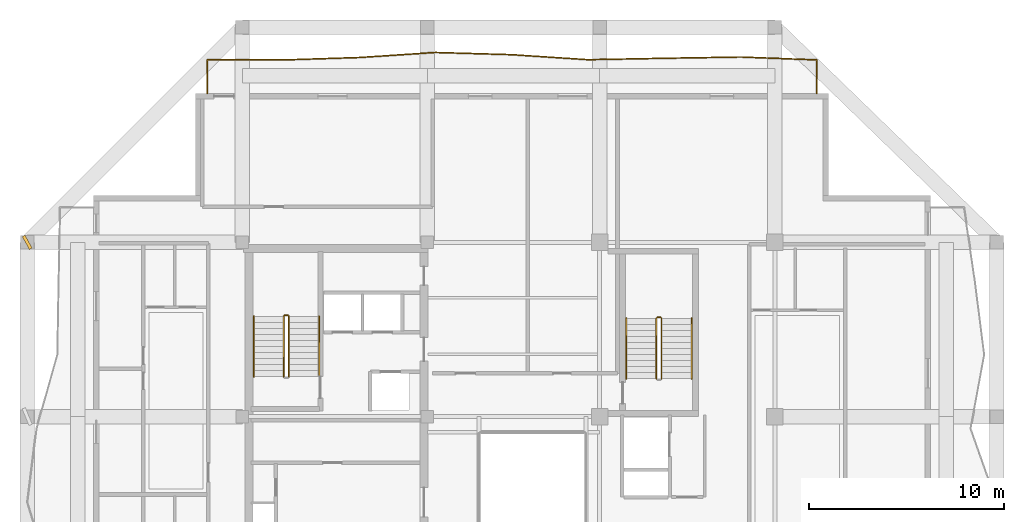
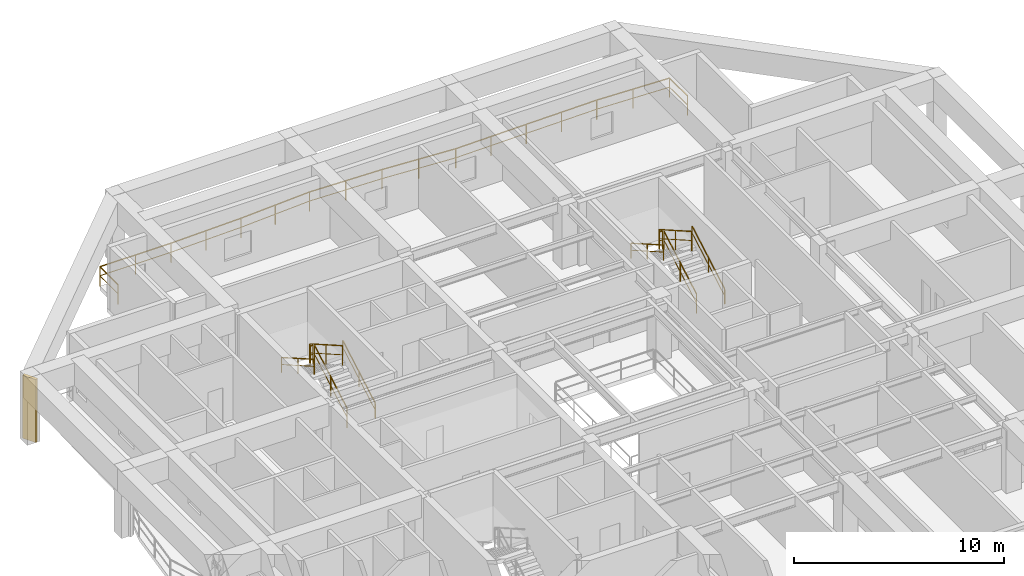
# One storey, part 10 of 11: 11 railings, 1 shading device.
"""IFC4 building model written with IfcOpenShell, lengths in metres."""

from ifc_helpers import new_model, si_unit, direction, frame, origin, origin_2d, place, context, subcontext, project, spatial, rectangle, extrude, material, type_object, element, save


model = new_model("IFC4")

# Units and contexts
model_context = context("Model", 3, precision=1e-05, world=origin(), true_north=direction((0.0, 1.0)))
body_context = subcontext(model_context, "Body", "Model", "MODEL_VIEW")
ifc_project = project(units=[si_unit("LENGTHUNIT", "METRE"), si_unit("AREAUNIT", "SQUARE_METRE"), si_unit("VOLUMEUNIT", "CUBIC_METRE"), si_unit("PLANEANGLEUNIT", "RADIAN"), si_unit("MASSUNIT", "GRAM", prefix="KILO")], contexts=[model_context])

# Site, building, storey
site_placement = place(None, origin())
site = spatial("IfcSite", under=ifc_project, at=site_placement, CompositionType="ELEMENT")
building_placement = place(site_placement, origin())
building = spatial("IfcBuilding", under=site, at=building_placement, Name="Kundavana Baori Tower", CompositionType="ELEMENT")
storey_placement = place(building_placement, frame((0.0, 0.0, 268.699951171875)))
storey = spatial("IfcBuildingStorey", under=building, at=storey_placement, Name="L66", CompositionType="ELEMENT", Elevation=268.699951171875)

# Railings
ifc_material_1 = material(Name="Architectural Patinated Bronze Metalwork")
railing_type_1 = type_object("IfcRailingType", Name="RL-BAL-1150", PredefinedType="BALUSTRADE", material=ifc_material_1)
railing_1_placement = place(storey_placement, frame((13.64990234375, 49.60009765625, 0.0)))
element("IfcRailing", 1, at=railing_1_placement, inside=storey, type_object=railing_type_1, Name="L66 Loggia Balcony Balustrade N", PredefinedType="BALUSTRADE", context=body_context, shape_type="SweptSolid", body=[
    extrude(rectangle(XDim=0.048095703125, YDim=0.048095703125, at=origin_2d()), frame((0.0, 0.0, 1.1259765625), z_axis=(0.0, 1.0, 0.0), x_axis=(-1.0, 0.0, 0.0)), (0.0, 0.0, 1.0), 1.719970703125),
    extrude(rectangle(XDim=0.03125, YDim=0.03125, at=origin_2d()), frame((0.0, 0.0, 0.597900390625), z_axis=(0.0, 1.0, 0.0), x_axis=(-1.0, 0.0, 0.0)), (0.0, 0.0, 1.0), 1.719970703125),
    extrude(rectangle(XDim=0.048095703125, YDim=0.048095703125, at=origin_2d()), frame((0.0, 1.719970703125, 1.1259765625), z_axis=(1.0, 0.0, 0.0), x_axis=(0.0, 1.0, 0.0)), (0.0, 0.0, 1.0), 3.912109375),
    extrude(rectangle(XDim=0.03125, YDim=0.03125, at=origin_2d()), frame((0.0, 1.719970703125, 0.597900390625), z_axis=(1.0, 0.0, 0.0), x_axis=(0.0, 1.0, 0.0)), (0.0, 0.0, 1.0), 3.912109375),
    extrude(rectangle(XDim=0.048095703125, YDim=0.048095703125, at=origin_2d()), frame((3.912109375, 1.719970703125, 1.1259765625), z_axis=(0.999474133691, 0.032426163559, 0.0), x_axis=(-0.032426163559, 0.999474133691, 0.0)), (0.0, 0.0, 1.0), 3.9150390625),
    extrude(rectangle(XDim=0.03125, YDim=0.03125, at=origin_2d()), frame((3.912109375, 1.719970703125, 0.597900390625), z_axis=(0.999474133691, 0.032426163559, 0.0), x_axis=(-0.032426163559, 0.999474133691, 0.0)), (0.0, 0.0, 1.0), 3.9150390625),
    extrude(rectangle(XDim=0.048095703125, YDim=0.048095703125, at=origin_2d()), frame((7.8251953125, 1.846923828125, 1.1259765625), z_axis=(0.997848610689, 0.065560278721, 0.0), x_axis=(-0.065560278721, 0.997848610689, 0.0)), (0.0, 0.0, 1.0), 3.92138671875),
    extrude(rectangle(XDim=0.03125, YDim=0.03125, at=origin_2d()), frame((7.8251953125, 1.846923828125, 0.597900390625), z_axis=(0.997848610689, 0.065560278721, 0.0), x_axis=(-0.065560278721, 0.997848610689, 0.0)), (0.0, 0.0, 1.0), 3.92138671875),
    extrude(rectangle(XDim=0.048095703125, YDim=0.048095703125, at=origin_2d()), frame((11.738037109375, 2.10400390625, 1.1259765625), z_axis=(0.999575590256, -0.029131415417, 0.0), x_axis=(0.029131415417, 0.999575590256, 0.0)), (0.0, 0.0, 1.0), 3.913818359375),
    extrude(rectangle(XDim=0.03125, YDim=0.03125, at=origin_2d()), frame((11.738037109375, 2.10400390625, 0.597900390625), z_axis=(0.999575590256, -0.029131415417, 0.0), x_axis=(0.029131415417, 0.999575590256, 0.0)), (0.0, 0.0, 1.0), 3.913818359375),
    extrude(rectangle(XDim=0.048095703125, YDim=0.048095703125, at=origin_2d()), frame((15.650146484375, 1.989990234375, 1.1259765625), z_axis=(0.997832288016, -0.065808244115, 0.0), x_axis=(0.065808244115, 0.997832288016, 0.0)), (0.0, 0.0, 1.0), 3.92138671875),
    extrude(rectangle(XDim=0.03125, YDim=0.03125, at=origin_2d()), frame((15.650146484375, 1.989990234375, 0.597900390625), z_axis=(0.997832288016, -0.065808244115, 0.0), x_axis=(0.065808244115, 0.997832288016, 0.0)), (0.0, 0.0, 1.0), 3.92138671875),
    extrude(rectangle(XDim=0.048095703125, YDim=0.048095703125, at=origin_2d()), frame((19.56298828125, 1.73193359375, 1.1259765625), z_axis=(0.99982127021, 0.01890575667, 0.0), x_axis=(-0.01890575667, 0.99982127021, 0.0)), (0.0, 0.0, 1.0), 3.912841796875),
    extrude(rectangle(XDim=0.03125, YDim=0.03125, at=origin_2d()), frame((19.56298828125, 1.73193359375, 0.597900390625), z_axis=(0.99982127021, 0.01890575667, 0.0), x_axis=(-0.01890575667, 0.99982127021, 0.0)), (0.0, 0.0, 1.0), 3.912841796875),
    extrude(rectangle(XDim=0.048095703125, YDim=0.048095703125, at=origin_2d()), frame((23.47509765625, 1.805908203125, 1.1259765625), z_axis=(0.999862315545, 0.01659367207, 0.0), x_axis=(-0.01659367207, 0.999862315545, 0.0)), (0.0, 0.0, 1.0), 3.91357421875),
    extrude(rectangle(XDim=0.03125, YDim=0.03125, at=origin_2d()), frame((23.47509765625, 1.805908203125, 0.597900390625), z_axis=(0.999862315545, 0.01659367207, 0.0), x_axis=(-0.01659367207, 0.999862315545, 0.0)), (0.0, 0.0, 1.0), 3.91357421875),
    extrude(rectangle(XDim=0.048095703125, YDim=0.048095703125, at=origin_2d()), frame((27.38818359375, 1.870849609375, 1.1259765625), z_axis=(0.999257023507, -0.038540899989, 0.0), x_axis=(0.038540899989, 0.999257023507, 0.0)), (0.0, 0.0, 1.0), 3.914794921875),
    extrude(rectangle(XDim=0.03125, YDim=0.03125, at=origin_2d()), frame((27.38818359375, 1.870849609375, 0.597900390625), z_axis=(0.999257023507, -0.038540899989, 0.0), x_axis=(0.038540899989, 0.999257023507, 0.0)), (0.0, 0.0, 1.0), 3.914794921875),
    extrude(rectangle(XDim=0.048095703125, YDim=0.048095703125, at=origin_2d()), frame((31.300048828125, 1.719970703125, 1.1259765625), z_axis=(0.0, -1.0, 0.0), x_axis=(1.0, 0.0, 0.0)), (0.0, 0.0, 1.0), 1.719970703125),
    extrude(rectangle(XDim=0.03125, YDim=0.03125, at=origin_2d()), frame((31.300048828125, 1.719970703125, 0.597900390625), z_axis=(0.0, -1.0, 0.0), x_axis=(1.0, 0.0, 0.0)), (0.0, 0.0, 1.0), 1.719970703125),
    extrude(rectangle(XDim=0.0419921875, YDim=0.0419921875, at=origin_2d()), origin(), (0.0, 0.0, 1.0), 1.101806640625),
    extrude(rectangle(XDim=0.0419921875, YDim=0.0419921875, at=origin_2d()), frame((0.0, 1.719970703125, 0.0)), (0.0, 0.0, 1.0), 1.101806640625),
    extrude(rectangle(XDim=0.0419921875, YDim=0.0419921875, at=origin_2d()), frame((1.9560546875, 1.719970703125, 0.0)), (0.0, 0.0, 1.0), 1.101806640625),
    extrude(rectangle(XDim=0.0419921875, YDim=0.0419921875, at=origin_2d()), frame((3.912109375, 1.719970703125, 0.0)), (0.0, 0.0, 1.0), 1.101806640625),
    extrude(rectangle(XDim=0.0419921875, YDim=0.0419921875, at=origin_2d()), frame((5.86865234375, 1.783447265625, 0.0)), (0.0, 0.0, 1.0), 1.101806640625),
    extrude(rectangle(XDim=0.0419921875, YDim=0.0419921875, at=origin_2d()), frame((7.8251953125, 1.846923828125, 0.0)), (0.0, 0.0, 1.0), 1.101806640625),
    extrude(rectangle(XDim=0.0419921875, YDim=0.0419921875, at=origin_2d()), frame((9.78173828125, 1.9755859375, 0.0)), (0.0, 0.0, 1.0), 1.101806640625),
    extrude(rectangle(XDim=0.0419921875, YDim=0.0419921875, at=origin_2d()), frame((11.738037109375, 2.10400390625, 0.0)), (0.0, 0.0, 1.0), 1.101806640625),
    extrude(rectangle(XDim=0.0419921875, YDim=0.0419921875, at=origin_2d()), frame((13.694091796875, 2.046875, 0.0)), (0.0, 0.0, 1.0), 1.101806640625),
    extrude(rectangle(XDim=0.0419921875, YDim=0.0419921875, at=origin_2d()), frame((15.650146484375, 1.989990234375, 0.0)), (0.0, 0.0, 1.0), 1.101806640625),
    extrude(rectangle(XDim=0.0419921875, YDim=0.0419921875, at=origin_2d()), frame((17.6064453125, 1.86083984375, 0.0)), (0.0, 0.0, 1.0), 1.101806640625),
    extrude(rectangle(XDim=0.0419921875, YDim=0.0419921875, at=origin_2d()), frame((19.56298828125, 1.73193359375, 0.0)), (0.0, 0.0, 1.0), 1.101806640625),
    extrude(rectangle(XDim=0.0419921875, YDim=0.0419921875, at=origin_2d()), frame((21.51904296875, 1.76904296875, 0.0)), (0.0, 0.0, 1.0), 1.101806640625),
    extrude(rectangle(XDim=0.0419921875, YDim=0.0419921875, at=origin_2d()), frame((23.47509765625, 1.805908203125, 0.0)), (0.0, 0.0, 1.0), 1.101806640625),
    extrude(rectangle(XDim=0.0419921875, YDim=0.0419921875, at=origin_2d()), frame((25.431640625, 1.83837890625, 0.0)), (0.0, 0.0, 1.0), 1.101806640625),
    extrude(rectangle(XDim=0.0419921875, YDim=0.0419921875, at=origin_2d()), frame((27.38818359375, 1.870849609375, 0.0)), (0.0, 0.0, 1.0), 1.101806640625),
    extrude(rectangle(XDim=0.0419921875, YDim=0.0419921875, at=origin_2d()), frame((29.34423828125, 1.79541015625, 0.0)), (0.0, 0.0, 1.0), 1.101806640625),
    extrude(rectangle(XDim=0.0419921875, YDim=0.0419921875, at=origin_2d()), frame((31.300048828125, 1.719970703125, 0.0)), (0.0, 0.0, 1.0), 1.101806640625),
    extrude(rectangle(XDim=0.0419921875, YDim=0.0419921875, at=origin_2d()), frame((31.300048828125, 0.0, 0.0)), (0.0, 0.0, 1.0), 1.101806640625),
])
ifc_material_2 = material(Name="Architectural Patinated Bronze Metalwork")
railing_type_2 = type_object("IfcRailingType", Name="RL-GRD-1150", PredefinedType="GUARDRAIL", material=ifc_material_2)
railing_2_placement = place(storey_placement, frame((17.840087890625, 35.050048828125, 0.17724609375)))
element("IfcRailing", 2, at=railing_2_placement, inside=storey, type_object=railing_type_2, Name="L66 ST2 stair guard 1", PredefinedType="GUARDRAIL", context=body_context, shape_type="SweptSolid", body=[
    extrude(rectangle(XDim=0.048095703125, YDim=0.048095703125, at=origin_2d()), frame((0.0, 0.0, 1.1259765625), z_axis=(0.0, 0.868079009454, 0.496426060301), x_axis=(-1.0, 0.0, 0.0)), (0.0, 0.0, 1.0), 3.571044921875),
    extrude(rectangle(XDim=0.03125, YDim=0.03125, at=origin_2d()), frame((0.0, 0.0, 0.597900390625), z_axis=(0.0, 0.868079009454, 0.496426060301), x_axis=(-1.0, 0.0, 0.0)), (0.0, 0.0, 1.0), 3.571044921875),
    extrude(rectangle(XDim=0.0419921875, YDim=0.0419921875, at=origin_2d()), origin(), (0.0, 0.0, 1.0), 1.101806640625),
    extrude(rectangle(XDim=0.0419921875, YDim=0.0419921875, at=origin_2d()), frame((0.0, 1.5498046875, 0.88623046875)), (0.0, 0.0, 1.0), 1.101806640625),
    extrude(rectangle(XDim=0.0419921875, YDim=0.0419921875, at=origin_2d()), frame((0.0, 3.099853515625, 1.772705078125)), (0.0, 0.0, 1.0), 1.101806640625),
])
railing_3_placement = place(storey_placement, frame((17.7900390625, 38.199951171875, 1.949951171875)))
element("IfcRailing", 3, at=railing_3_placement, inside=storey, type_object=railing_type_2, Name="L66 ST2 stair guard 2", PredefinedType="GUARDRAIL", context=body_context, shape_type="SweptSolid", body=[
    extrude(rectangle(XDim=0.048095703125, YDim=0.048095703125, at=origin_2d()), frame((0.0, 0.0, 1.1259765625), z_axis=(-1.0, 0.0, 0.0), x_axis=(0.0, -1.0, 0.0)), (0.0, 0.0, 1.0), 0.16015625),
    extrude(rectangle(XDim=0.03125, YDim=0.03125, at=origin_2d()), frame((0.0, 0.0, 0.597900390625), z_axis=(-1.0, 0.0, 0.0), x_axis=(0.0, -1.0, 0.0)), (0.0, 0.0, 1.0), 0.16015625),
    extrude(rectangle(XDim=0.0419921875, YDim=0.0419921875, at=origin_2d()), origin(), (0.0, 0.0, 1.0), 1.101806640625),
    extrude(rectangle(XDim=0.0419921875, YDim=0.0419921875, at=origin_2d()), frame((-0.16015625, 0.0, 0.0)), (0.0, 0.0, 1.0), 1.101806640625),
])
railing_4_placement = place(storey_placement, frame((17.580078125, 38.14990234375, 2.12744140625)))
element("IfcRailing", 4, at=railing_4_placement, inside=storey, type_object=railing_type_2, Name="L66 ST2 stair guard 3", PredefinedType="GUARDRAIL", context=body_context, shape_type="SweptSolid", body=[
    extrude(rectangle(XDim=0.048095703125, YDim=0.048095703125, at=origin_2d()), frame((0.0, 0.0, 1.1259765625), z_axis=(0.0, -0.868079009454, 0.496426060301), x_axis=(1.0, 0.0, 0.0)), (0.0, 0.0, 1.0), 3.571044921875),
    extrude(rectangle(XDim=0.03125, YDim=0.03125, at=origin_2d()), frame((0.0, 0.0, 0.597900390625), z_axis=(0.0, -0.868079009454, 0.496426060301), x_axis=(1.0, 0.0, 0.0)), (0.0, 0.0, 1.0), 3.571044921875),
    extrude(rectangle(XDim=0.0419921875, YDim=0.0419921875, at=origin_2d()), origin(), (0.0, 0.0, 1.0), 1.101806640625),
    extrude(rectangle(XDim=0.0419921875, YDim=0.0419921875, at=origin_2d()), frame((0.0, -1.5498046875, 0.88623046875)), (0.0, 0.0, 1.0), 1.101806640625),
    extrude(rectangle(XDim=0.0419921875, YDim=0.0419921875, at=origin_2d()), frame((0.0, -3.099853515625, 1.772705078125)), (0.0, 0.0, 1.0), 1.101806640625),
])
railing_5_placement = place(storey_placement, frame((36.97998046875, 34.949951171875, 0.17724609375)))
element("IfcRailing", 5, at=railing_5_placement, inside=storey, type_object=railing_type_2, Name="L66 ST3 stair guard 1", PredefinedType="GUARDRAIL", context=body_context, shape_type="SweptSolid", body=[
    extrude(rectangle(XDim=0.048095703125, YDim=0.048095703125, at=origin_2d()), frame((0.0, 0.0, 1.1259765625), z_axis=(0.0, 0.868095856688, 0.496396599103), x_axis=(-1.0, 0.0, 0.0)), (0.0, 0.0, 1.0), 3.571044921875),
    extrude(rectangle(XDim=0.03125, YDim=0.03125, at=origin_2d()), frame((0.0, 0.0, 0.597900390625), z_axis=(0.0, 0.868095856688, 0.496396599103), x_axis=(-1.0, 0.0, 0.0)), (0.0, 0.0, 1.0), 3.571044921875),
    extrude(rectangle(XDim=0.0419921875, YDim=0.0419921875, at=origin_2d()), origin(), (0.0, 0.0, 1.0), 1.101806640625),
    extrude(rectangle(XDim=0.0419921875, YDim=0.0419921875, at=origin_2d()), frame((0.0, 1.550048828125, 0.88623046875)), (0.0, 0.0, 1.0), 1.101806640625),
    extrude(rectangle(XDim=0.0419921875, YDim=0.0419921875, at=origin_2d()), frame((0.0, 3.10009765625, 1.772705078125)), (0.0, 0.0, 1.0), 1.101806640625),
])
railing_6_placement = place(storey_placement, frame((36.929931640625, 38.10009765625, 1.949951171875)))
element("IfcRailing", 6, at=railing_6_placement, inside=storey, type_object=railing_type_2, Name="L66 ST3 stair guard 2", PredefinedType="GUARDRAIL", context=body_context, shape_type="SweptSolid", body=[
    extrude(rectangle(XDim=0.048095703125, YDim=0.048095703125, at=origin_2d()), frame((0.0, 0.0, 1.1259765625), z_axis=(-1.0, 0.0, 0.0), x_axis=(0.0, -1.0, 0.0)), (0.0, 0.0, 1.0), 0.159912109375),
    extrude(rectangle(XDim=0.03125, YDim=0.03125, at=origin_2d()), frame((0.0, 0.0, 0.597900390625), z_axis=(-1.0, 0.0, 0.0), x_axis=(0.0, -1.0, 0.0)), (0.0, 0.0, 1.0), 0.159912109375),
    extrude(rectangle(XDim=0.0419921875, YDim=0.0419921875, at=origin_2d()), origin(), (0.0, 0.0, 1.0), 1.101806640625),
    extrude(rectangle(XDim=0.0419921875, YDim=0.0419921875, at=origin_2d()), frame((-0.159912109375, 0.0, 0.0)), (0.0, 0.0, 1.0), 1.101806640625),
])
railing_7_placement = place(storey_placement, frame((36.719970703125, 38.050048828125, 2.12744140625)))
element("IfcRailing", 7, at=railing_7_placement, inside=storey, type_object=railing_type_2, Name="L66 ST3 stair guard 3", PredefinedType="GUARDRAIL", context=body_context, shape_type="SweptSolid", body=[
    extrude(rectangle(XDim=0.048095703125, YDim=0.048095703125, at=origin_2d()), frame((0.0, 0.0, 1.1259765625), z_axis=(0.0, -0.868095856688, 0.496396599103), x_axis=(1.0, 0.0, 0.0)), (0.0, 0.0, 1.0), 3.571044921875),
    extrude(rectangle(XDim=0.03125, YDim=0.03125, at=origin_2d()), frame((0.0, 0.0, 0.597900390625), z_axis=(0.0, -0.868095856688, 0.496396599103), x_axis=(1.0, 0.0, 0.0)), (0.0, 0.0, 1.0), 3.571044921875),
    extrude(rectangle(XDim=0.0419921875, YDim=0.0419921875, at=origin_2d()), origin(), (0.0, 0.0, 1.0), 1.101806640625),
    extrude(rectangle(XDim=0.0419921875, YDim=0.0419921875, at=origin_2d()), frame((0.0, -1.550048828125, 0.88623046875)), (0.0, 0.0, 1.0), 1.101806640625),
    extrude(rectangle(XDim=0.0419921875, YDim=0.0419921875, at=origin_2d()), frame((0.0, -3.10009765625, 1.772705078125)), (0.0, 0.0, 1.0), 1.101806640625),
])
ifc_material_3 = material(Name="Architectural Patinated Bronze Metalwork")
railing_type_3 = type_object("IfcRailingType", Name="RL-HND-920", PredefinedType="HANDRAIL", material=ifc_material_3)
railing_8_placement = place(storey_placement, frame((19.389892578125, 35.050048828125, 0.17724609375)))
element("IfcRailing", 8, at=railing_8_placement, inside=storey, type_object=railing_type_3, Name="L66 ST2 stair handrail 1", PredefinedType="HANDRAIL", context=body_context, shape_type="SweptSolid", body=[
    extrude(rectangle(XDim=0.048095703125, YDim=0.048095703125, at=origin_2d()), frame((0.0, 0.0, 0.8759765625), z_axis=(0.0, 0.868079009454, 0.496426060301), x_axis=(-1.0, 0.0, 0.0)), (0.0, 0.0, 1.0), 3.571044921875),
    extrude(rectangle(XDim=0.03125, YDim=0.03125, at=origin_2d()), frame((0.0, 0.0, 0.468017578125), z_axis=(0.0, 0.868079009454, 0.496426060301), x_axis=(-1.0, 0.0, 0.0)), (0.0, 0.0, 1.0), 3.571044921875),
    extrude(rectangle(XDim=0.0419921875, YDim=0.0419921875, at=origin_2d()), origin(), (0.0, 0.0, 1.0), 0.851806640625),
    extrude(rectangle(XDim=0.0419921875, YDim=0.0419921875, at=origin_2d()), frame((0.0, 1.5498046875, 0.88623046875)), (0.0, 0.0, 1.0), 0.851806640625),
    extrude(rectangle(XDim=0.0419921875, YDim=0.0419921875, at=origin_2d()), frame((0.0, 3.099853515625, 1.772705078125)), (0.0, 0.0, 1.0), 0.851806640625),
])
railing_9_placement = place(storey_placement, frame((16.030029296875, 38.14990234375, 2.12744140625)))
element("IfcRailing", 9, at=railing_9_placement, inside=storey, type_object=railing_type_3, Name="L66 ST2 stair handrail 2", PredefinedType="HANDRAIL", context=body_context, shape_type="SweptSolid", body=[
    extrude(rectangle(XDim=0.048095703125, YDim=0.048095703125, at=origin_2d()), frame((0.0, 0.0, 0.8759765625), z_axis=(0.0, -0.868079009454, 0.496426060301), x_axis=(1.0, 0.0, 0.0)), (0.0, 0.0, 1.0), 3.571044921875),
    extrude(rectangle(XDim=0.03125, YDim=0.03125, at=origin_2d()), frame((0.0, 0.0, 0.468017578125), z_axis=(0.0, -0.868079009454, 0.496426060301), x_axis=(1.0, 0.0, 0.0)), (0.0, 0.0, 1.0), 3.571044921875),
    extrude(rectangle(XDim=0.0419921875, YDim=0.0419921875, at=origin_2d()), origin(), (0.0, 0.0, 1.0), 0.851806640625),
    extrude(rectangle(XDim=0.0419921875, YDim=0.0419921875, at=origin_2d()), frame((0.0, -1.5498046875, 0.88623046875)), (0.0, 0.0, 1.0), 0.851806640625),
    extrude(rectangle(XDim=0.0419921875, YDim=0.0419921875, at=origin_2d()), frame((0.0, -3.099853515625, 1.772705078125)), (0.0, 0.0, 1.0), 0.851806640625),
])
railing_10_placement = place(storey_placement, frame((38.530029296875, 34.949951171875, 0.17724609375)))
element("IfcRailing", 10, at=railing_10_placement, inside=storey, type_object=railing_type_3, Name="L66 ST3 stair handrail 1", PredefinedType="HANDRAIL", context=body_context, shape_type="SweptSolid", body=[
    extrude(rectangle(XDim=0.048095703125, YDim=0.048095703125, at=origin_2d()), frame((0.0, 0.0, 0.8759765625), z_axis=(0.0, 0.868095856688, 0.496396599103), x_axis=(-1.0, 0.0, 0.0)), (0.0, 0.0, 1.0), 3.571044921875),
    extrude(rectangle(XDim=0.03125, YDim=0.03125, at=origin_2d()), frame((0.0, 0.0, 0.468017578125), z_axis=(0.0, 0.868095856688, 0.496396599103), x_axis=(-1.0, 0.0, 0.0)), (0.0, 0.0, 1.0), 3.571044921875),
    extrude(rectangle(XDim=0.0419921875, YDim=0.0419921875, at=origin_2d()), origin(), (0.0, 0.0, 1.0), 0.851806640625),
    extrude(rectangle(XDim=0.0419921875, YDim=0.0419921875, at=origin_2d()), frame((0.0, 1.550048828125, 0.88623046875)), (0.0, 0.0, 1.0), 0.851806640625),
    extrude(rectangle(XDim=0.0419921875, YDim=0.0419921875, at=origin_2d()), frame((0.0, 3.10009765625, 1.772705078125)), (0.0, 0.0, 1.0), 0.851806640625),
])
railing_11_placement = place(storey_placement, frame((35.169921875, 38.050048828125, 2.12744140625)))
element("IfcRailing", 11, at=railing_11_placement, inside=storey, type_object=railing_type_3, Name="L66 ST3 stair handrail 2", PredefinedType="HANDRAIL", context=body_context, shape_type="SweptSolid", body=[
    extrude(rectangle(XDim=0.048095703125, YDim=0.048095703125, at=origin_2d()), frame((0.0, 0.0, 0.8759765625), z_axis=(0.0, -0.868095856688, 0.496396599103), x_axis=(1.0, 0.0, 0.0)), (0.0, 0.0, 1.0), 3.571044921875),
    extrude(rectangle(XDim=0.03125, YDim=0.03125, at=origin_2d()), frame((0.0, 0.0, 0.468017578125), z_axis=(0.0, -0.868095856688, 0.496396599103), x_axis=(1.0, 0.0, 0.0)), (0.0, 0.0, 1.0), 3.571044921875),
    extrude(rectangle(XDim=0.0419921875, YDim=0.0419921875, at=origin_2d()), origin(), (0.0, 0.0, 1.0), 0.851806640625),
    extrude(rectangle(XDim=0.0419921875, YDim=0.0419921875, at=origin_2d()), frame((0.0, -1.550048828125, 0.88623046875)), (0.0, 0.0, 1.0), 0.851806640625),
    extrude(rectangle(XDim=0.0419921875, YDim=0.0419921875, at=origin_2d()), frame((0.0, -3.10009765625, 1.772705078125)), (0.0, 0.0, 1.0), 0.851806640625),
])

# Shading device
ifc_material_4 = material(Name="Red-Buff Dholpur Sandstone Cladding on Concrete C40/50", Category="masonry")
shading_device_type = type_object("IfcShadingDeviceType", Name="SHD-FIN-750", PredefinedType="JALOUSIE", material=ifc_material_4)
shading_device_placement = place(storey_placement, frame((4.39990234375, 41.949951171875, 0.0), z_axis=(0.0, 0.0, 1.0), x_axis=(0.875548862354, 0.48312957851, 0.0)))
element("IfcShadingDevice", 12, at=shading_device_placement, inside=storey, type_object=shading_device_type, Name="L66 Sweeping Dholpur Sandstone Facade Fin 8", PredefinedType="JALOUSIE", context=body_context, shape_type="SweptSolid", body=[
    extrude(rectangle(XDim=0.159912109375, YDim=0.75, at=origin_2d()), origin(), (0.0, 0.0, 1.0), 3.659912109375),
])

save(model, "model.ifc")
